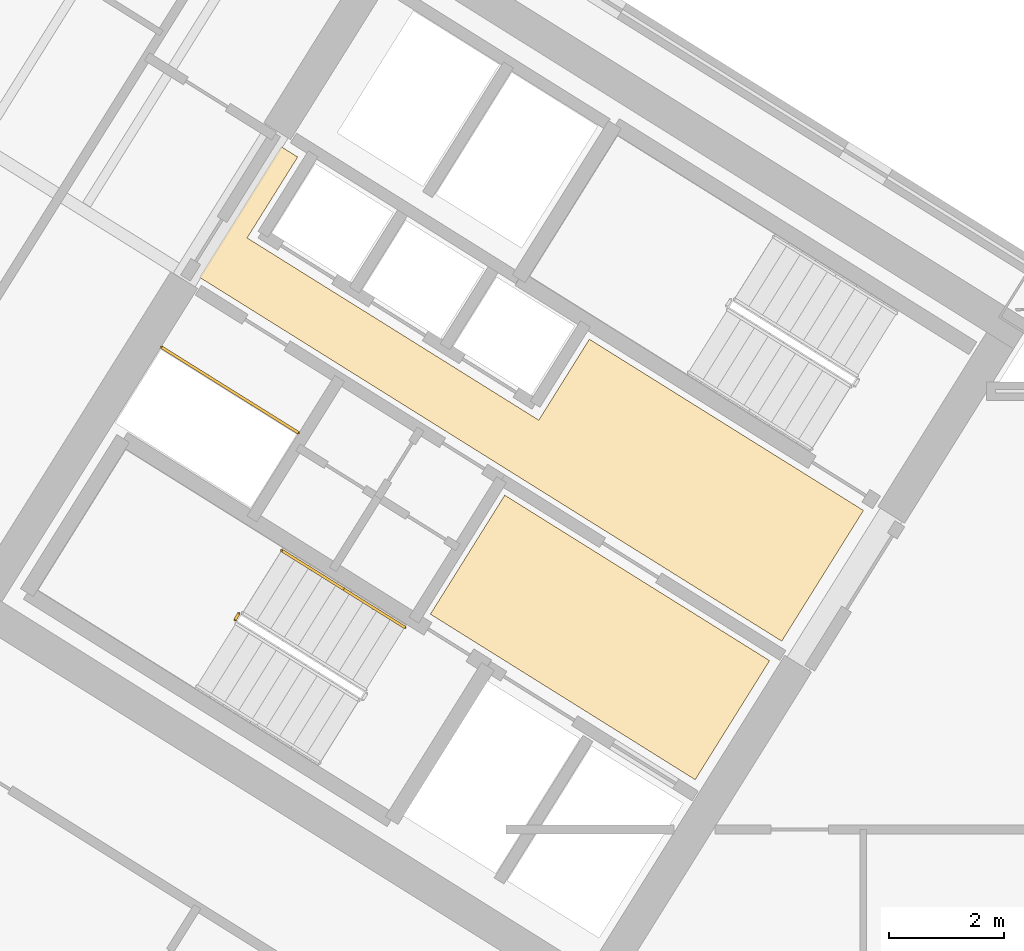
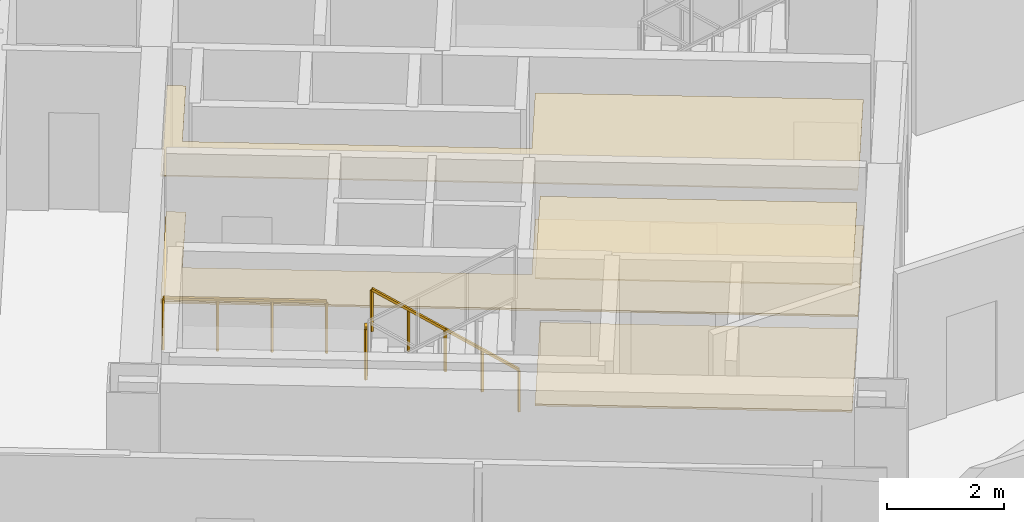
# One storey, part 25 of 29: 4 coverings, 4 railings.
"""IFC4 building model written with IfcOpenShell, lengths in metres."""

from ifc_helpers import new_model, si_unit, direction, frame, origin, origin_2d, place, context, subcontext, project, spatial, polyline, rectangle, outline, extrude, source, transform, mapped, material, layer, layer_set, type_object, element, save


model = new_model("IFC4")

# Units and contexts
model_context = context("Model", 3, precision=1e-05, world=origin(), true_north=direction((0.0, 1.0)))
body_context = subcontext(model_context, "Body", "Model", "MODEL_VIEW")
ifc_project = project(units=[si_unit("LENGTHUNIT", "METRE"), si_unit("AREAUNIT", "SQUARE_METRE"), si_unit("VOLUMEUNIT", "CUBIC_METRE"), si_unit("PLANEANGLEUNIT", "RADIAN"), si_unit("MASSUNIT", "GRAM", prefix="KILO")], contexts=[model_context])

# Site, building, storey
site_placement = place(None, origin())
site = spatial("IfcSite", under=ifc_project, at=site_placement, CompositionType="ELEMENT")
building_placement = place(site_placement, origin())
building = spatial("IfcBuilding", under=site, at=building_placement, Name="Tlacorven Tower", CompositionType="ELEMENT")
storey_placement = place(building_placement, frame((0.0, 0.0, 151.5)))
storey = spatial("IfcBuildingStorey", under=building, at=storey_placement, Name="L38", CompositionType="ELEMENT", Elevation=151.5)

# Coverings
ifc_material_1 = material(Name="Acoustic mineral-fibre ceiling")
ifc_layer_1 = layer(ifc_material_1, 0.02490234375)
ifc_layer_set_1 = layer_set([ifc_layer_1], Name="Acoustic mineral-fibre ceiling")
covering_type_1 = type_object("IfcCoveringType", Name="CV-CLG-ACST", PredefinedType="CEILING", material=ifc_layer_set_1)
covering_1_placement = place(storey_placement, frame((0.0, 0.0, 2.64990234375)))
element("IfcCovering", 1, at=covering_1_placement, inside=storey, type_object=covering_type_1, Name="L38 Acoustic Suspended Ceiling 1", PredefinedType="CEILING", context=body_context, shape_type="SweptSolid", body=[
    extrude(outline(polyline([(36.185302734375, 18.35595703125), (34.892333984375, 16.286865234375), (30.287353515625, 19.164306640625), (31.580322265625, 21.2333984375), (36.185302734375, 18.35595703125)])), origin(), (0.0, 0.0, 1.0), 0.025146484375),
])
covering_2_placement = place(storey_placement, frame((0.0, 0.0, 2.64990234375)))
element("IfcCovering", 2, at=covering_2_placement, inside=storey, type_object=covering_type_1, Name="L38 Acoustic Suspended Ceiling 2", PredefinedType="CEILING", context=body_context, shape_type="SweptSolid", body=[
    extrude(outline(polyline([(37.8173828125, 20.968017578125), (36.397216796875, 18.6953125), (26.271484375, 25.0224609375), (27.691650390625, 27.295166015625), (27.97998046875, 27.114990234375), (27.100341796875, 25.707275390625), (32.171630859375, 22.538330078125), (33.05126953125, 23.946044921875), (37.8173828125, 20.968017578125)])), origin(), (0.0, 0.0, 1.0), 0.025146484375),
])
ifc_material_2 = material(Name="Terrazzo and ceramic flooring")
ifc_layer_2 = layer(ifc_material_2, 0.0400390625)
ifc_layer_set_2 = layer_set([ifc_layer_2], Name="Terrazzo and ceramic flooring")
covering_type_2 = type_object("IfcCoveringType", Name="CV-FLR-TERZ", PredefinedType="FLOORING", material=ifc_layer_set_2)
covering_3_placement = place(storey_placement, origin())
element("IfcCovering", 3, at=covering_3_placement, inside=storey, type_object=covering_type_2, Name="L38 Terrazzo Floor Finish 1", PredefinedType="FLOORING", context=body_context, shape_type="SweptSolid", body=[
    extrude(outline(polyline([(36.185302734375, 18.35595703125), (34.892333984375, 16.286865234375), (30.287353515625, 19.164306640625), (31.580322265625, 21.2333984375), (36.185302734375, 18.35595703125)])), origin(), (0.0, 0.0, 1.0), 0.0400390625),
])
covering_4_placement = place(storey_placement, origin())
element("IfcCovering", 4, at=covering_4_placement, inside=storey, type_object=covering_type_2, Name="L38 Terrazzo Floor Finish 2", PredefinedType="FLOORING", context=body_context, shape_type="SweptSolid", body=[
    extrude(outline(polyline([(37.8173828125, 20.968017578125), (36.397216796875, 18.6953125), (26.271484375, 25.0224609375), (27.691650390625, 27.295166015625), (27.97998046875, 27.114990234375), (27.100341796875, 25.707275390625), (32.171630859375, 22.538330078125), (33.05126953125, 23.946044921875), (37.8173828125, 20.968017578125)])), origin(), (0.0, 0.0, 1.0), 0.0400390625),
])

# Railings
ifc_material_3 = material(Name="Aluminium and painted steel balustrade", Category="steel")
railing_type_1 = type_object("IfcRailingType", Name="RL-GRD-1100", PredefinedType="GUARDRAIL", material=ifc_material_3)
shared_shape_1 = source(origin(), body_context, "Body", "SweptSolid", [
    extrude(rectangle(XDim=0.048095703125, YDim=0.048095703125, at=origin_2d()), frame((0.0, 0.0, 1.076171875), z_axis=(-0.848091358275, 0.529850024081, 0.0), x_axis=(-0.529850024081, -0.848091358275, 0.0)), (0.0, 0.0, 1.0), 2.800048828125),
    extrude(rectangle(XDim=0.0419921875, YDim=0.0419921875, at=origin_2d()), origin(), (0.0, 0.0, 1.0), 1.052001953125),
    extrude(rectangle(XDim=0.0419921875, YDim=0.0419921875, at=origin_2d()), frame((-0.79150390625, 0.49462890625, 0.0)), (0.0, 0.0, 1.0), 1.052001953125),
    extrude(rectangle(XDim=0.0419921875, YDim=0.0419921875, at=origin_2d()), frame((-1.583251953125, 0.989013671875, 0.0)), (0.0, 0.0, 1.0), 1.052001953125),
    extrude(rectangle(XDim=0.0419921875, YDim=0.0419921875, at=origin_2d()), frame((-2.374755859375, 1.483642578125, 0.0)), (0.0, 0.0, 1.0), 1.052001953125),
])
railing_1_placement = place(storey_placement, frame((27.9912109375, 22.32080078125, 0.0)))
element("IfcRailing", 5, at=railing_1_placement, inside=storey, type_object=railing_type_1, Name="L38 Electrical Riser W Shaft Guard 1", PredefinedType="GUARDRAIL", context=body_context, shape_type="MappedRepresentation", body=[
    mapped(shared_shape_1, transform((0.0, 0.0, 0.0), scale=1.0)),
])
shared_shape_2 = source(origin(), body_context, "Body", "SweptSolid", [
    extrude(rectangle(XDim=0.048095703125, YDim=0.048095703125, at=origin_2d()), frame((0.0, 0.0, 1.076171875), z_axis=(-0.530546985787, -0.847655529016, 0.0), x_axis=(0.847655529016, -0.530546985787, 0.0)), (0.0, 0.0, 1.0), 0.1201171875),
    extrude(rectangle(XDim=0.0419921875, YDim=0.0419921875, at=origin_2d()), origin(), (0.0, 0.0, 1.0), 1.052001953125),
    extrude(rectangle(XDim=0.0419921875, YDim=0.0419921875, at=origin_2d()), frame((-0.063720703125, -0.101806640625, 0.0)), (0.0, 0.0, 1.0), 1.052001953125),
])
railing_2_placement = place(storey_placement, frame((26.954833984375, 19.17138671875, 1.800048828125)))
element("IfcRailing", 6, at=railing_2_placement, inside=storey, type_object=railing_type_1, Name="L38 ST-W1 stair guard 2", PredefinedType="GUARDRAIL", context=body_context, shape_type="MappedRepresentation", body=[
    mapped(shared_shape_2, transform((0.0, 0.0, 0.0), scale=1.0)),
])
railing_type_2 = type_object("IfcRailingType", Name="RL-HND-0900", PredefinedType="HANDRAIL", material=ifc_material_3)
shared_shape_3 = source(origin(), body_context, "Body", "SweptSolid", [
    extrude(rectangle(XDim=0.048095703125, YDim=0.048095703125, at=origin_2d()), frame((0.0, 0.0, 0.8759765625), z_axis=(-0.713359751793, 0.4457479829, 0.540764828981), x_axis=(-0.529911857636, -0.848052724267, 0.0)), (0.0, 0.0, 1.0), 1.498046875),
    extrude(rectangle(XDim=0.0419921875, YDim=0.0419921875, at=origin_2d()), origin(), (0.0, 0.0, 1.0), 0.851806640625),
    extrude(rectangle(XDim=0.0419921875, YDim=0.0419921875, at=origin_2d()), frame((-0.5341796875, 0.333984375, 0.405029296875)), (0.0, 0.0, 1.0), 0.851806640625),
    extrude(rectangle(XDim=0.0419921875, YDim=0.0419921875, at=origin_2d()), frame((-1.068603515625, 0.667724609375, 0.81005859375)), (0.0, 0.0, 1.0), 0.851806640625),
])
for number, where, name in (
    (7, (29.839111328125, 18.937255859375, 0.179931640625), "L38 ST-W1 stair handrail 1"),
    (8, (28.7705078125, 19.60498046875, 0.989990234375), "L38 ST-W1 stair handrail 2"),
):
    element("IfcRailing", number, at=place(storey_placement, frame(where)), inside=storey, type_object=railing_type_2, Name=name, PredefinedType="HANDRAIL", context=body_context, shape_type="MappedRepresentation", body=[
        mapped(shared_shape_3, transform((0.0, 0.0, 0.0), scale=1.0)),
    ])

save(model, "model.ifc")
